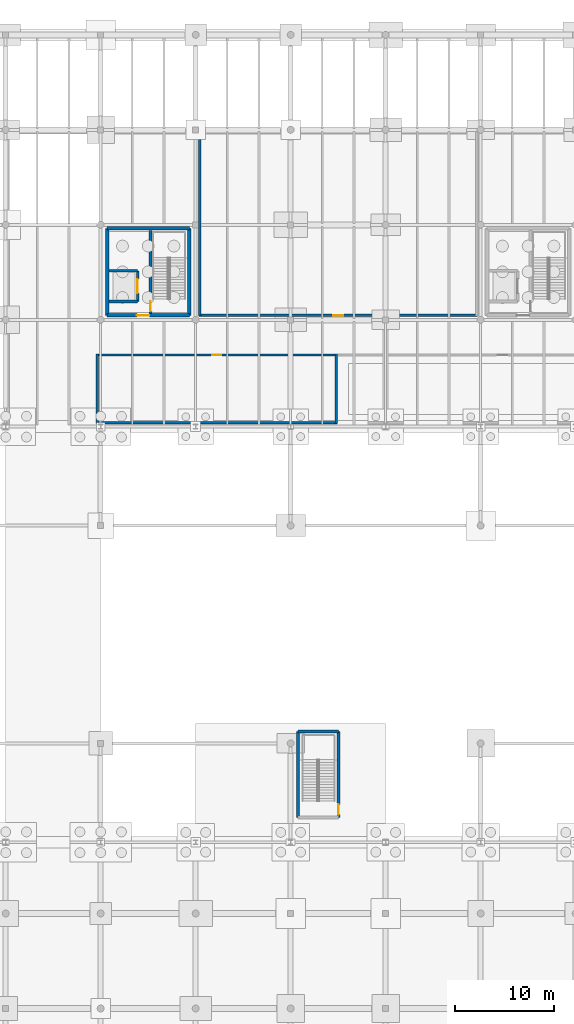
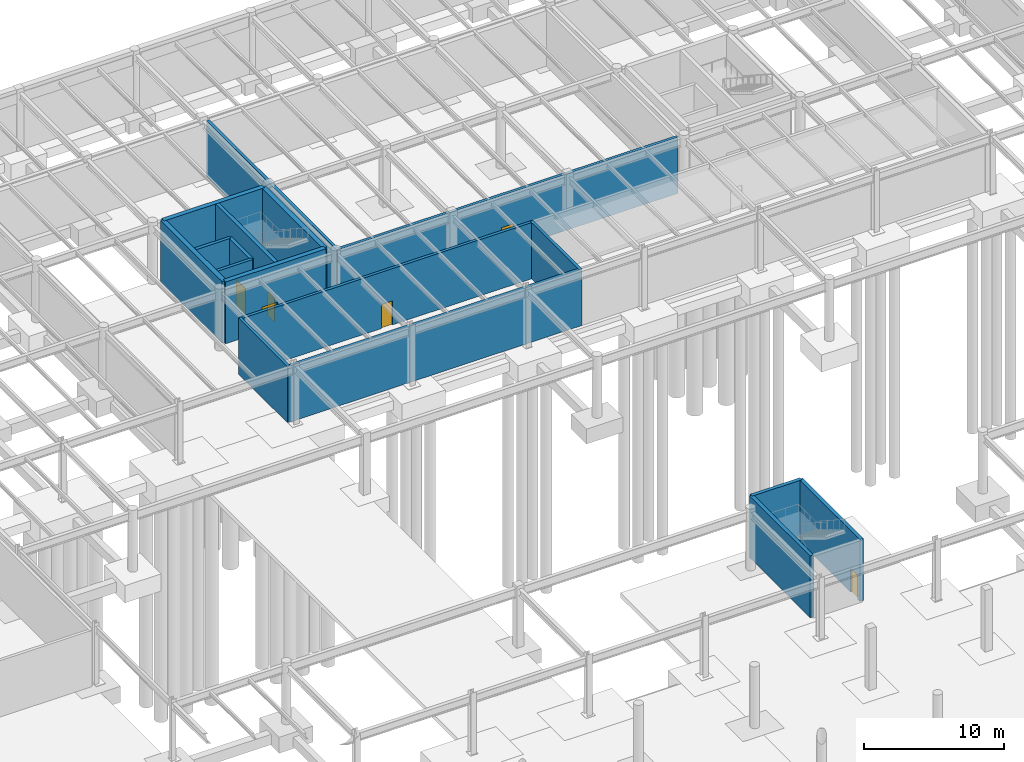
# One storey, part 44 of 50: 17 walls, 6 doors, 6 openings.
"""IFC4 building model written with IfcOpenShell, lengths in metres."""

import ifcopenshell
import ifcopenshell.guid

model = None  # the IFC model being written
_history = None  # IfcOwnerHistory: only IFC2X3 demands one
_inside = {}  # id of a spatial element -> (the spatial element, [elements in it])
_under = {}  # id of a project, library or spatial element -> (it, [spatial elements below it])
_declared = {}  # id of a project -> (the project, [libraries it declares])
_typed = {}  # id of a type object -> (the type object, [elements of that type])
_made_of = {}  # id of a material, layer set ... -> (it, [elements and type objects made of it])


def new_model(schema):
    """Start an empty IFC model of exactly this schema.

    Asked for "IFC4X3", IfcOpenShell would pick the latest addendum, in which some entities
    have other attributes; the version numbers below select the first issue.
    IFC2X3 requires an IfcOwnerHistory on every rooted entity: one is made here for all.
    """
    global model, _history
    if schema == "IFC4X3":
        model = ifcopenshell.file(schema_version=(4, 3, 0, 0))
    else:
        model = ifcopenshell.file(schema=schema)
    _inside.clear()
    _under.clear()
    _declared.clear()
    _typed.clear()
    _made_of.clear()
    _history = None
    if model.schema == "IFC2X3":
        org = make("IfcOrganization", Name="unknown")
        user = make(
            "IfcPersonAndOrganization",
            ThePerson=make("IfcPerson", FamilyName="unknown"),
            TheOrganization=org,
        )
        app = make(
            "IfcApplication",
            ApplicationDeveloper=org,
            Version="unknown",
            ApplicationFullName="unknown",
            ApplicationIdentifier="unknown",
        )
        _history = make(
            "IfcOwnerHistory",
            OwningUser=user,
            OwningApplication=app,
            ChangeAction="ADDED",
            CreationDate=0,
        )
    return model


def make(cls, **values):
    """One entity of the class cls with the attributes given. An attribute that is None is left unset."""
    return model.create_entity(
        cls, **{name: value for name, value in values.items() if value is not None}
    )


def rooted(cls, **values):
    """An entity with a GlobalId (a new one), such as an element, a storey or a relation."""
    return make(cls, GlobalId=ifcopenshell.guid.new(), OwnerHistory=_history, **values)


def si_unit(unit_type, name, prefix=None):
    """IfcSIUnit, for example si_unit("LENGTHUNIT", "METRE", prefix="MILLI")."""
    return make("IfcSIUnit", UnitType=unit_type, Prefix=prefix, Name=name)


def assignment(units):
    """IfcUnitAssignment: the units of a project."""
    return None if units is None else make("IfcUnitAssignment", Units=units)


def point(xyz):
    """IfcCartesianPoint."""
    return None if xyz is None else make("IfcCartesianPoint", Coordinates=xyz)


def direction(xyz):
    """IfcDirection."""
    return None if xyz is None else make("IfcDirection", DirectionRatios=xyz)


def frame(location, z_axis=None, x_axis=None):
    """IfcAxis2Placement3D, a coordinate frame: its origin and axes. An axis left out is left unset."""
    return make(
        "IfcAxis2Placement3D",
        Location=point(location),
        Axis=direction(z_axis),
        RefDirection=direction(x_axis),
    )


def frame_2d(location, x_axis=None):
    """IfcAxis2Placement2D, a coordinate frame in the plane: its origin and x axis."""
    return make(
        "IfcAxis2Placement2D", Location=point(location), RefDirection=direction(x_axis)
    )


def origin():
    """The frame at (0, 0, 0) with its axes left unset."""
    return frame((0.0, 0.0, 0.0))


def place(relative_to, where):
    """IfcLocalPlacement: puts the frame where relative to a parent placement (None: the world)."""
    return make(
        "IfcLocalPlacement", PlacementRelTo=relative_to, RelativePlacement=where
    )


def context(
    kind, dimensions, precision=None, world=None, true_north=None, identifier=None
):
    """IfcGeometricRepresentationContext, for example the 3D "Model" context."""
    return make(
        "IfcGeometricRepresentationContext",
        ContextIdentifier=identifier,
        ContextType=kind,
        CoordinateSpaceDimension=dimensions,
        Precision=precision,
        WorldCoordinateSystem=world,
        TrueNorth=true_north,
    )


def subcontext(parent, identifier, kind, view, scale=None):
    """IfcGeometricRepresentationSubContext, for example "Body" below "Model"."""
    return make(
        "IfcGeometricRepresentationSubContext",
        ContextIdentifier=identifier,
        ContextType=kind,
        ParentContext=parent,
        TargetScale=scale,
        TargetView=view,
    )


def project(units=None, contexts=None):
    """IfcProject with its units and contexts."""
    return rooted(
        "IfcProject",
        Name="project",
        RepresentationContexts=contexts,
        UnitsInContext=assignment(units),
    )


def spatial(cls, under=None, at=None, **own):
    """A site, building, storey or space (cls), placed at a placement, below another one or the project."""
    s = rooted(cls, ObjectPlacement=at, **own)
    if under is not None:
        _under.setdefault(under.id(), (under, []))[1].append(s)
    return s


def profile(cls, at=None, kind="AREA", **sizes):
    """A parametric profile (cls). Its sizes go by their IFC names, for example OverallWidth=200.0."""
    return make(cls, ProfileType=kind, Position=at, **sizes)


def rectangle(**sizes):
    """IfcRectangleProfileDef."""
    return profile("IfcRectangleProfileDef", **sizes)


def extrude(swept, where, along, depth):
    """IfcExtrudedAreaSolid: the profile swept, set in the frame where, extruded along a direction by depth."""
    return make(
        "IfcExtrudedAreaSolid",
        SweptArea=swept,
        Position=where,
        ExtrudedDirection=direction(along),
        Depth=depth,
    )


def shape(context_of_items, identifier, shape_type, items):
    """IfcShapeRepresentation: the items that make up one representation, for example the "Body"."""
    return make(
        "IfcShapeRepresentation",
        ContextOfItems=context_of_items,
        RepresentationIdentifier=identifier,
        RepresentationType=shape_type,
        Items=items,
    )


def material(Name=None, Category=None):
    """IfcMaterial."""
    return make("IfcMaterial", Name=Name, Category=Category)


def layer(
    of_material, thickness, ventilated=None, Name=None, Category=None, Priority=None
):
    """IfcMaterialLayer: one layer of a wall or slab, of a material (None: an air gap)."""
    return make(
        "IfcMaterialLayer",
        Material=of_material,
        LayerThickness=thickness,
        IsVentilated=ventilated,
        Name=Name,
        Category=Category,
        Priority=Priority,
    )


def layer_set(layers, Name=None):
    """IfcMaterialLayerSet."""
    return make("IfcMaterialLayerSet", MaterialLayers=layers, LayerSetName=Name)


def made_of(thing, what):
    """Note that an element or type object is made of a material, layer set ...; save() writes the relation."""
    if what is not None:
        _made_of.setdefault(what.id(), (what, []))[1].append(thing)
    return thing


def type_object(cls, material=None, **own):
    """A type object (cls), such as IfcWallType, which elements share."""
    return made_of(rooted(cls, **own), material)


def element(
    cls,
    number,
    at=None,
    inside=None,
    cuts=None,
    type_object=None,
    material=None,
    context=None,
    identifier="Body",
    shape_type=None,
    held_by="IfcProductDefinitionShape",
    body=None,
    shapes=None,
    **own,
):
    """One element of the class cls, such as IfcWall. Its Tag is "e" and its number.

    at: its placement. inside: the storey or other place that contains it. cuts: it is an
    opening in that element (IfcRelVoidsElement). A single representation is given by context,
    identifier, shape_type and body (its items); several are given by shapes. held_by: the class
    of the entity that holds the representations. save() writes the other relations.
    """
    e = rooted(cls, Tag="e%d" % number, ObjectPlacement=at, **own)
    if body is not None:
        shapes = [shape(context, identifier, shape_type, body)]
    if shapes is not None:
        e.Representation = make(held_by, Representations=shapes)
    if inside is not None:
        _inside.setdefault(inside.id(), (inside, []))[1].append(e)
    if cuts is not None:
        rooted(
            "IfcRelVoidsElement", RelatingBuildingElement=cuts, RelatedOpeningElement=e
        )
    if type_object is not None:
        _typed.setdefault(type_object.id(), (type_object, []))[1].append(e)
    return made_of(e, material)


def fill(opening, filler):
    """IfcRelFillsElement: the door or window that sits in an opening."""
    return rooted(
        "IfcRelFillsElement",
        RelatingOpeningElement=opening,
        RelatedBuildingElement=filler,
    )


def aggregate(whole, parts):
    """IfcRelAggregates: a whole, such as a stair, and the parts it consists of."""
    return rooted("IfcRelAggregates", RelatingObject=whole, RelatedObjects=parts)


def save(model, path):
    """Write the relations noted so far, then the file.

    IfcRelAggregates (storeys below a building ...), IfcRelContainedInSpatialStructure (elements
    in a storey), IfcRelDefinesByType, IfcRelAssociatesMaterial and IfcRelDeclares: one each for
    every whole, place, type object, material and project.
    """
    for whole, parts in _under.values():
        aggregate(whole, parts)
    for where, things in _inside.values():
        rooted(
            "IfcRelContainedInSpatialStructure",
            RelatedElements=things,
            RelatingStructure=where,
        )
    for kind, things in _typed.values():
        rooted("IfcRelDefinesByType", RelatedObjects=things, RelatingType=kind)
    for what, things in _made_of.values():
        rooted("IfcRelAssociatesMaterial", RelatedObjects=things, RelatingMaterial=what)
    for by, libraries in _declared.values():
        rooted("IfcRelDeclares", RelatingContext=by, RelatedDefinitions=libraries)
    model.write(path)


model = new_model("IFC4")

# Units and contexts
model_context = context("Model", 3, precision=1e-05, world=origin(), true_north=direction((0.0, 1.0)))
body_context = subcontext(model_context, "Body", "Model", "MODEL_VIEW")
ifc_project = project(units=[si_unit("LENGTHUNIT", "METRE"), si_unit("AREAUNIT", "SQUARE_METRE"), si_unit("VOLUMEUNIT", "CUBIC_METRE"), si_unit("PLANEANGLEUNIT", "RADIAN"), si_unit("MASSUNIT", "GRAM", prefix="KILO")], contexts=[model_context])

# Site, building, storey
site_placement = place(None, origin())
site = spatial("IfcSite", under=ifc_project, at=site_placement, CompositionType="ELEMENT")
building_placement = place(site_placement, origin())
building = spatial("IfcBuilding", under=site, at=building_placement, Name="Yeouljin Market Hall", CompositionType="ELEMENT")
storey_placement = place(building_placement, frame((0.0, 0.0, -5.39990234375)))
storey = spatial("IfcBuildingStorey", under=building, at=storey_placement, Name="B1", CompositionType="ELEMENT", Elevation=-5.39990234375)

# Wall, opening, door
ifc_material_1 = material(Name="Insulated Cold-Store Panel Assembly")
ifc_layer_1 = layer(ifc_material_1, 0.239990234375)
ifc_layer_set_1 = layer_set([ifc_layer_1], Name="Insulated Cold-Store Panel Assembly")
wall_type_1 = type_object("IfcWallType", Name="Part_ColdStore_240", PredefinedType="PARTITIONING", material=ifc_layer_set_1)
wall_1_placement = place(storey_placement, frame((88.080078125, 85.25, 0.0), z_axis=(0.0, 0.0, 1.0), x_axis=(-1.0, 0.0, 0.0)))
wall_1 = element("IfcWall", 1, at=wall_1_placement, inside=storey, type_object=wall_type_1, Name="Interior partition PART-B1-0011", PredefinedType="PARTITIONING", context=body_context, shape_type="SweptSolid", body=[
    extrude(rectangle(XDim=24.2900390625, YDim=0.239990234375, at=frame_2d((12.14501953125, 0.0))), origin(), (0.0, 0.0, 1.0), 4.919921875),
])
opening_1_placement = place(wall_1_placement, frame((11.695068359375, 0.0, 0.0)))
opening_1 = element("IfcOpeningElement", 2, at=opening_1_placement, cuts=wall_1, Name="Opening D-B1-004", PredefinedType="OPENING", context=body_context, shape_type="SweptSolid", body=[
    extrude(rectangle(XDim=0.89990234375, YDim=2.10009765625, at=frame_2d((0.449951171875, 1.050048828125))), frame((0.0, 0.1298828125, 0.0), z_axis=(0.0, -1.0, 0.0), x_axis=(1.0, 0.0, 0.0)), (0.0, 0.0, 1.0), 0.260009765625),
])
ifc_material_2 = material(Name="Painted Fire-Rated Steel", Category="steel")
door_type_1 = type_object("IfcDoorType", Name="DT-FD090", OperationType="NOTDEFINED", PredefinedType="DOOR", material=ifc_material_2)
door_1_placement = place(opening_1_placement, origin())
door_1 = element("IfcDoor", 3, at=door_1_placement, inside=storey, type_object=door_type_1, Name="Interior door D-B1-004 (Seafood Chiller Cold Store)", OperationType="SINGLE_SWING_RIGHT", OverallHeight=2.10009765625, OverallWidth=0.89990234375, PredefinedType="DOOR", context=body_context, shape_type="SweptSolid", body=[
    extrude(rectangle(XDim=0.89990234375, YDim=2.10009765625, at=frame_2d((0.449951171875, 1.050048828125))), frame((0.0, 0.02490234375, 0.0), z_axis=(0.0, -1.0, 0.0), x_axis=(1.0, 0.0, 0.0)), (0.0, 0.0, 1.0), 0.050048828125),
])
fill(opening_1, door_1)

# Walls
for number, where, z_axis, x_axis, name in (
    (4, (63.8701171875, 85.330078125, 0.0), (0.0, 0.0, 1.0), (0.0, -1.0, 0.0), "Interior partition PART-B1-0012"),
    (5, (88.0, 78.320068359375, 0.0), (0.0, 0.0, 1.0), (0.0, 1.0, 0.0), "Interior partition PART-B1-0013"),
):
    element("IfcWall", number, at=place(storey_placement, frame(where, z_axis=z_axis, x_axis=x_axis)), inside=storey, type_object=wall_type_1, Name=name, PredefinedType="PARTITIONING", context=body_context, shape_type="SweptSolid", body=[
        extrude(rectangle(XDim=7.010009765625, YDim=0.239990234375, at=frame_2d((3.5048828125, 0.0))), origin(), (0.0, 0.0, 1.0), 4.919921875),
    ])
wall_2_placement = place(storey_placement, frame((63.7900390625, 78.39990234375, 0.0), z_axis=(0.0, 0.0, 1.0), x_axis=(1.0, 0.0, 0.0)))
element("IfcWall", 6, at=wall_2_placement, inside=storey, type_object=wall_type_1, Name="Interior partition PART-B1-0014", PredefinedType="PARTITIONING", context=body_context, shape_type="SweptSolid", body=[
    extrude(rectangle(XDim=24.2900390625, YDim=0.239990234375, at=frame_2d((12.14501953125, 0.0))), origin(), (0.0, 0.0, 1.0), 4.919921875),
])

# Wall, opening, door
wall_3_placement = place(storey_placement, frame((74.1201171875, 89.25, 0.0), z_axis=(0.0, 0.0, 1.0), x_axis=(1.0, 0.0, 0.0)))
wall_3 = element("IfcWall", 7, at=wall_3_placement, inside=storey, type_object=wall_type_1, Name="Interior partition PART-B1-0017", PredefinedType="PARTITIONING", context=body_context, shape_type="SweptSolid", body=[
    extrude(rectangle(XDim=28.159912109375, YDim=0.239990234375, at=frame_2d((14.080078125, 0.0))), origin(), (0.0, 0.0, 1.0), 4.919921875),
])
opening_2_placement = place(wall_3_placement, frame((13.570068359375, 0.0, 0.0)))
opening_2 = element("IfcOpeningElement", 8, at=opening_2_placement, cuts=wall_3, Name="Opening D-B1-006", PredefinedType="OPENING", context=body_context, shape_type="SweptSolid", body=[
    extrude(rectangle(XDim=1.02001953125, YDim=2.10009765625, at=frame_2d((0.510009765625, 1.050048828125))), frame((0.0, 0.1298828125, 0.0), z_axis=(0.0, -1.0, 0.0), x_axis=(1.0, 0.0, 0.0)), (0.0, 0.0, 1.0), 0.260009765625),
])
ifc_material_3 = material(Name="Painted Fire-Rated Steel", Category="steel")
door_type_2 = type_object("IfcDoorType", Name="DT-FD102", OperationType="NOTDEFINED", PredefinedType="DOOR", material=ifc_material_3)
door_2_placement = place(opening_2_placement, origin())
door_2 = element("IfcDoor", 9, at=door_2_placement, inside=storey, type_object=door_type_2, Name="Interior door D-B1-006 (Produce Chiller Cold Store)", OperationType="SINGLE_SWING_RIGHT", OverallHeight=2.10009765625, OverallWidth=1.02001953125, PredefinedType="DOOR", context=body_context, shape_type="SweptSolid", body=[
    extrude(rectangle(XDim=1.02001953125, YDim=2.10009765625, at=frame_2d((0.510009765625, 1.050048828125))), frame((0.0, 0.02490234375, 0.0), z_axis=(0.0, -1.0, 0.0), x_axis=(1.0, 0.0, 0.0)), (0.0, 0.0, 1.0), 0.050048828125),
])
fill(opening_2, door_2)

# Wall
wall_4_placement = place(storey_placement, frame((74.199951171875, 107.800048828125, 0.0), z_axis=(0.0, 0.0, 1.0), x_axis=(0.0, -1.0, 0.0)))
element("IfcWall", 10, at=wall_4_placement, inside=storey, type_object=wall_type_1, Name="Interior partition PART-B1-0019", PredefinedType="PARTITIONING", context=body_context, shape_type="SweptSolid", body=[
    extrude(rectangle(XDim=18.630126953125, YDim=0.239990234375, at=frame_2d((9.31494140625, 0.0))), origin(), (0.0, 0.0, 1.0), 4.919921875),
])

# Wall, opening, door
ifc_material_4 = material(Name="Concrete C35/45", Category="concrete")
ifc_layer_2 = layer(ifc_material_4, 0.260009765625)
ifc_layer_set_2 = layer_set([ifc_layer_2], Name="Concrete C35/45")
wall_type_2 = type_object("IfcWallType", Name="Wall_Compartment_260", PredefinedType="SHEAR", material=ifc_layer_set_2)
wall_5_placement = place(storey_placement, frame((67.929931640625, 90.64990234375, 0.0), z_axis=(0.0, 0.0, 1.0), x_axis=(0.0, 1.0, 0.0)))
wall_5 = element("IfcWall", 11, at=wall_5_placement, inside=storey, type_object=wall_type_2, Name="Lift LG-01 hoistway front wall (B1)", PredefinedType="SHEAR", context=body_context, shape_type="SweptSolid", body=[
    extrude(rectangle(XDim=3.10009765625, YDim=0.260009765625, at=frame_2d((1.550048828125, 0.0))), origin(), (0.0, 0.0, 1.0), 5.39990234375),
])
opening_3_placement = place(wall_5_placement, frame((0.85009765625, 0.0, 0.0)))
opening_3 = element("IfcOpeningElement", 12, at=opening_3_placement, cuts=wall_5, Name="Opening LD-LG-01-B1", PredefinedType="OPENING", context=body_context, shape_type="SweptSolid", body=[
    extrude(rectangle(XDim=1.39990234375, YDim=2.25, at=frame_2d((0.699951171875, 1.125))), frame((0.0, 0.139892578125, 0.0), z_axis=(0.0, -1.0, 0.0), x_axis=(1.0, 0.0, 0.0)), (0.0, 0.0, 1.0), 0.280029296875),
])
ifc_material_5 = material(Name="Brushed Stainless Steel", Category="steel")
door_type_3 = type_object("IfcDoorType", Name="LD-140", OperationType="SLIDING_TO_RIGHT", PredefinedType="DOOR", material=ifc_material_5)
door_3_placement = place(opening_3_placement, origin())
door_3 = element("IfcDoor", 13, at=door_3_placement, inside=storey, type_object=door_type_3, Name="Lift landing sliding door LD-LG-01-B1", OperationType="SLIDING_TO_LEFT", OverallHeight=2.25, OverallWidth=1.39990234375, PredefinedType="DOOR", context=body_context, shape_type="SweptSolid", body=[
    extrude(rectangle(XDim=1.39990234375, YDim=2.25, at=frame_2d((0.699951171875, 1.125))), frame((0.0, 0.02490234375, 0.0), z_axis=(0.0, -1.0, 0.0), x_axis=(1.0, 0.0, 0.0)), (0.0, 0.0, 1.0), 0.050048828125),
])
fill(opening_3, door_3)

# Walls
for number, where, z_axis, x_axis, name in (
    (14, (65.050048828125, 90.64990234375, 0.0), (0.0, 0.0, 1.0), (1.0, 0.0, 0.0), "Lift LG-01 shaft cheek wall S (B1)"),
    (15, (65.050048828125, 93.75, 0.0), (0.0, 0.0, 1.0), (1.0, 0.0, 0.0), "Lift LG-01 shaft cheek wall N (B1)"),
):
    element("IfcWall", number, at=place(storey_placement, frame(where, z_axis=z_axis, x_axis=x_axis)), inside=storey, type_object=wall_type_2, Name=name, PredefinedType="SHEAR", context=body_context, shape_type="SweptSolid", body=[
        extrude(rectangle(XDim=2.8798828125, YDim=0.260009765625, at=frame_2d((1.43994140625, 0.0))), origin(), (0.0, 0.0, 1.0), 5.39990234375),
    ])

# Wall, opening, door
ifc_material_6 = material(Name="Concrete C35/45", Category="concrete")
ifc_layer_3 = layer(ifc_material_6, 0.3798828125)
ifc_layer_set_3 = layer_set([ifc_layer_3], Name="Concrete C35/45")
wall_type_3 = type_object("IfcWallType", Name="Wall_CoreShear_380", PredefinedType="SHEAR", material=ifc_layer_set_3)
wall_6_placement = place(storey_placement, frame((64.85009765625, 89.25, 0.0), z_axis=(0.0, 0.0, 1.0), x_axis=(1.0, 0.0, 0.0)))
wall_6 = element("IfcWall", 16, at=wall_6_placement, inside=storey, type_object=wall_type_3, Name="Core C5 south shear wall (B1)", PredefinedType="SHEAR", context=body_context, shape_type="SweptSolid", body=[
    extrude(rectangle(XDim=8.2998046875, YDim=0.3798828125, at=frame_2d((4.14990234375, 0.0))), origin(), (0.0, 0.0, 1.0), 5.39990234375),
])
opening_4_placement = place(wall_6_placement, frame((3.0, 0.0, 0.0)))
opening_4 = element("IfcOpeningElement", 17, at=opening_4_placement, cuts=wall_6, Name="Opening FD-C5-B1-01", PredefinedType="OPENING", context=body_context, shape_type="SweptSolid", body=[
    extrude(rectangle(XDim=1.280029296875, YDim=2.14990234375, at=frame_2d((0.64013671875, 1.074951171875))), frame((0.0, 0.199951171875, 0.0), z_axis=(0.0, -1.0, 0.0), x_axis=(1.0, 0.0, 0.0)), (0.0, 0.0, 1.0), 0.39990234375),
])
ifc_material_7 = material(Name="Painted Fire-Rated Steel", Category="steel")
door_type_4 = type_object("IfcDoorType", Name="DT-FD128", OperationType="NOTDEFINED", PredefinedType="DOOR", material=ifc_material_7)
door_4_placement = place(opening_4_placement, origin())
door_4 = element("IfcDoor", 18, at=door_4_placement, inside=storey, type_object=door_type_4, Name="Core C5 lobby fire door (B1)", OperationType="SINGLE_SWING_LEFT", OverallHeight=2.14990234375, OverallWidth=1.280029296875, PredefinedType="DOOR", context=body_context, shape_type="SweptSolid", body=[
    extrude(rectangle(XDim=1.280029296875, YDim=2.14990234375, at=frame_2d((0.64013671875, 1.074951171875))), frame((0.0, 0.02490234375, 0.0), z_axis=(0.0, -1.0, 0.0), x_axis=(1.0, 0.0, 0.0)), (0.0, 0.0, 1.0), 0.050048828125),
])
fill(opening_4, door_4)

# Walls
wall_7_placement = place(storey_placement, frame((73.14990234375, 98.050048828125, 0.0), z_axis=(0.0, 0.0, 1.0), x_axis=(-1.0, 0.0, 0.0)))
element("IfcWall", 19, at=wall_7_placement, inside=storey, type_object=wall_type_3, Name="Core C5 north shear wall (B1)", PredefinedType="SHEAR", context=body_context, shape_type="SweptSolid", body=[
    extrude(rectangle(XDim=8.2998046875, YDim=0.3798828125, at=frame_2d((4.14990234375, 0.0))), origin(), (0.0, 0.0, 1.0), 5.39990234375),
])
for number, where, z_axis, x_axis, name in (
    (20, (64.85009765625, 98.050048828125, 0.0), (0.0, 0.0, 1.0), (0.0, -1.0, 0.0), "Core C5 west shear wall (B1)"),
    (21, (73.14990234375, 89.25, 0.0), (0.0, 0.0, 1.0), (0.0, 1.0, 0.0), "Core C5 east shear wall (B1)"),
):
    element("IfcWall", number, at=place(storey_placement, frame(where, z_axis=z_axis, x_axis=x_axis)), inside=storey, type_object=wall_type_3, Name=name, PredefinedType="SHEAR", context=body_context, shape_type="SweptSolid", body=[
        extrude(rectangle(XDim=8.800048828125, YDim=0.3798828125, at=frame_2d((4.39990234375, 0.0))), origin(), (0.0, 0.0, 1.0), 5.39990234375),
    ])

# Wall, opening, door
ifc_material_8 = material(Name="Concrete C35/45", Category="concrete")
ifc_layer_4 = layer(ifc_material_8, 0.300048828125)
ifc_layer_set_4 = layer_set([ifc_layer_4], Name="Concrete C35/45")
wall_type_4 = type_object("IfcWallType", Name="Wall_ShaftShear_300", PredefinedType="SHEAR", material=ifc_layer_set_4)
wall_8_placement = place(storey_placement, frame((69.25, 89.449951171875, 0.0), z_axis=(0.0, 0.0, 1.0), x_axis=(0.0, 1.0, 0.0)))
wall_8 = element("IfcWall", 22, at=wall_8_placement, inside=storey, type_object=wall_type_4, Name="Core C5 stairwell divider wall (B1)", PredefinedType="SHEAR", context=body_context, shape_type="SweptSolid", body=[
    extrude(rectangle(XDim=8.400146484375, YDim=0.300048828125, at=frame_2d((4.2001953125, 0.0))), origin(), (0.0, 0.0, 1.0), 5.39990234375),
])
opening_5_placement = place(wall_8_placement, frame((0.199951171875, 0.0, 0.0)))
opening_5 = element("IfcOpeningElement", 23, at=opening_5_placement, cuts=wall_8, Name="Opening SD-C5-B1", PredefinedType="OPENING", context=body_context, shape_type="SweptSolid", body=[
    extrude(rectangle(XDim=1.02001953125, YDim=2.10009765625, at=frame_2d((0.510009765625, 1.050048828125))), frame((0.0, 0.159912109375, 0.0), z_axis=(0.0, -1.0, 0.0), x_axis=(1.0, 0.0, 0.0)), (0.0, 0.0, 1.0), 0.320068359375),
])
door_5_placement = place(opening_5_placement, origin())
door_5 = element("IfcDoor", 24, at=door_5_placement, inside=storey, type_object=door_type_2, Name="Core C5 exit stair door (B1)", OperationType="SINGLE_SWING_RIGHT", OverallHeight=2.10009765625, OverallWidth=1.02001953125, PredefinedType="DOOR", context=body_context, shape_type="SweptSolid", body=[
    extrude(rectangle(XDim=1.02001953125, YDim=2.10009765625, at=frame_2d((0.510009765625, 1.050048828125))), frame((0.0, 0.02490234375, 0.0), z_axis=(0.0, -1.0, 0.0), x_axis=(1.0, 0.0, 0.0)), (0.0, 0.0, 1.0), 0.050048828125),
])
fill(opening_5, door_5)

# Walls
wall_9_placement = place(storey_placement, frame((88.25, 47.199951171875, 0.0), z_axis=(0.0, 0.0, 1.0), x_axis=(-1.0, 0.0, 0.0)))
element("IfcWall", 25, at=wall_9_placement, inside=storey, type_object=wall_type_4, Name="Core S9 north shear wall (B1)", PredefinedType="SHEAR", context=body_context, shape_type="SweptSolid", body=[
    extrude(rectangle(XDim=4.10009765625, YDim=0.300048828125, at=frame_2d((2.050048828125, 0.0))), origin(), (0.0, 0.0, 1.0), 5.39990234375),
])
wall_10_placement = place(storey_placement, frame((84.14990234375, 47.199951171875, 0.0), z_axis=(0.0, 0.0, 1.0), x_axis=(0.0, -1.0, 0.0)))
element("IfcWall", 26, at=wall_10_placement, inside=storey, type_object=wall_type_4, Name="Core S9 west shear wall (B1)", PredefinedType="SHEAR", context=body_context, shape_type="SweptSolid", body=[
    extrude(rectangle(XDim=8.699951171875, YDim=0.300048828125, at=frame_2d((4.35009765625, 0.0))), origin(), (0.0, 0.0, 1.0), 5.39990234375),
])

# Wall, opening, door
wall_11_placement = place(storey_placement, frame((88.25, 38.5, 0.0), z_axis=(0.0, 0.0, 1.0), x_axis=(0.0, 1.0, 0.0)))
wall_11 = element("IfcWall", 27, at=wall_11_placement, inside=storey, type_object=wall_type_4, Name="Core S9 east shear wall (B1)", PredefinedType="SHEAR", context=body_context, shape_type="SweptSolid", body=[
    extrude(rectangle(XDim=8.699951171875, YDim=0.300048828125, at=frame_2d((4.35009765625, 0.0))), origin(), (0.0, 0.0, 1.0), 5.39990234375),
])
opening_6_placement = place(wall_11_placement, frame((0.300048828125, 0.0, 0.0)))
opening_6 = element("IfcOpeningElement", 28, at=opening_6_placement, cuts=wall_11, Name="Opening SD-S9-B1", PredefinedType="OPENING", context=body_context, shape_type="SweptSolid", body=[
    extrude(rectangle(XDim=1.02001953125, YDim=2.10009765625, at=frame_2d((0.510009765625, 1.050048828125))), frame((0.0, 0.159912109375, 0.0), z_axis=(0.0, -1.0, 0.0), x_axis=(1.0, 0.0, 0.0)), (0.0, 0.0, 1.0), 0.320068359375),
])
door_6_placement = place(opening_6_placement, origin())
door_6 = element("IfcDoor", 29, at=door_6_placement, inside=storey, type_object=door_type_2, Name="Escape stair S9 fire door (B1)", OperationType="SINGLE_SWING_LEFT", OverallHeight=2.10009765625, OverallWidth=1.02001953125, PredefinedType="DOOR", context=body_context, shape_type="SweptSolid", body=[
    extrude(rectangle(XDim=1.02001953125, YDim=2.10009765625, at=frame_2d((0.510009765625, 1.050048828125))), frame((0.0, 0.02490234375, 0.0), z_axis=(0.0, -1.0, 0.0), x_axis=(1.0, 0.0, 0.0)), (0.0, 0.0, 1.0), 0.050048828125),
])
fill(opening_6, door_6)

save(model, "model.ifc")
